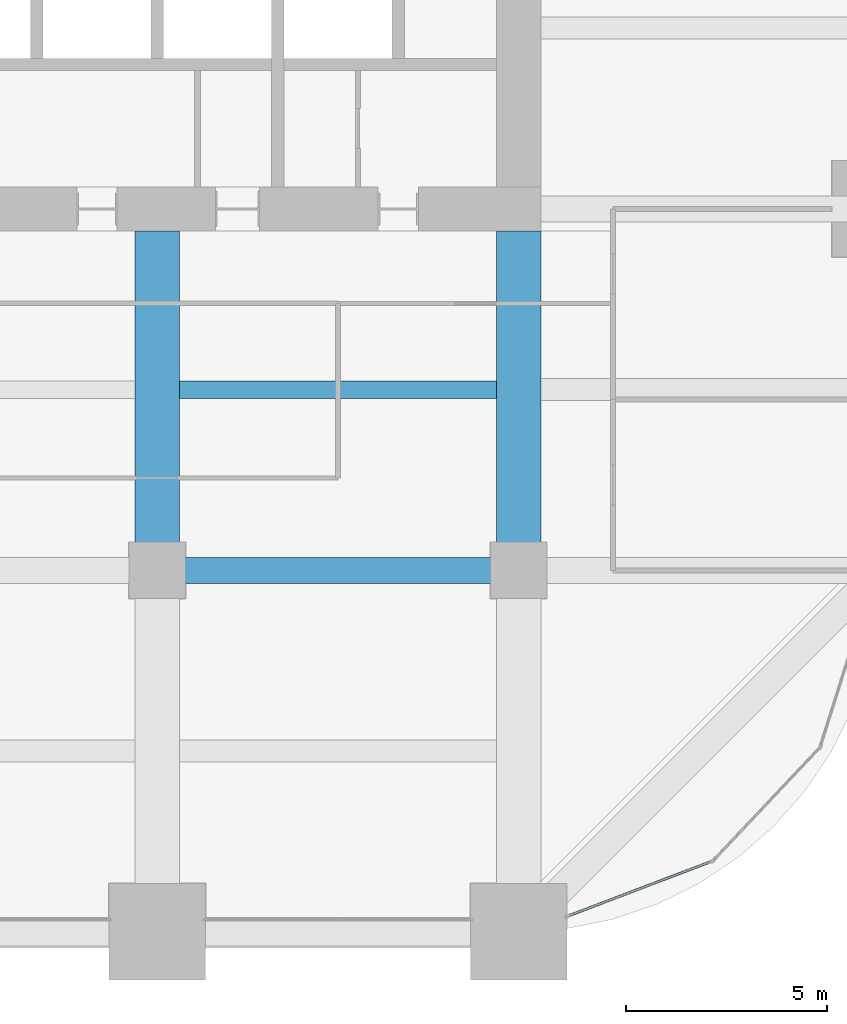
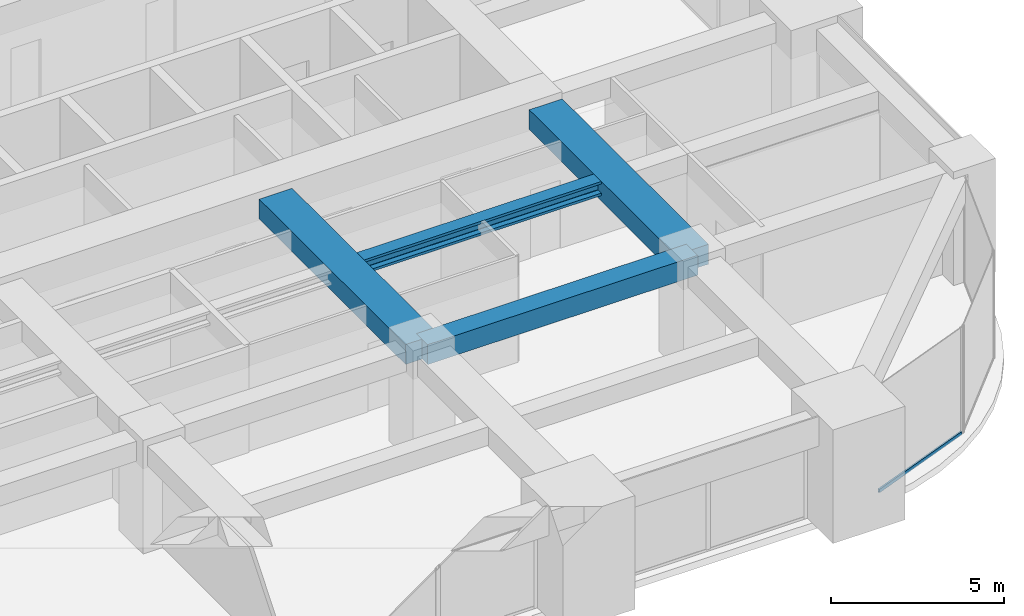
# One storey, part 15 of 32: 4 beams, 1 member, 1 element without a shape of its own.
"""IFC4 building model written with IfcOpenShell, lengths in metres."""

from ifc_helpers import new_model, si_unit, direction, frame, origin, origin_2d, place, context, subcontext, project, spatial, rectangle, hollow_rectangle, i_section, extrude, material, material_profile, profile_set, type_object, element, aggregate, save


model = new_model("IFC4")

# Units and contexts
model_context = context("Model", 3, precision=1e-05, world=origin(), true_north=direction((0.0, 1.0)))
body_context = subcontext(model_context, "Body", "Model", "MODEL_VIEW")
ifc_project = project(units=[si_unit("LENGTHUNIT", "METRE"), si_unit("AREAUNIT", "SQUARE_METRE"), si_unit("VOLUMEUNIT", "CUBIC_METRE"), si_unit("PLANEANGLEUNIT", "RADIAN"), si_unit("MASSUNIT", "GRAM", prefix="KILO")], contexts=[model_context])

# Site, building, storey
site_placement = place(None, origin())
site = spatial("IfcSite", under=ifc_project, at=site_placement, CompositionType="ELEMENT")
building_placement = place(site_placement, origin())
building = spatial("IfcBuilding", under=site, at=building_placement, Name="Zorevar Civic Tower", CompositionType="ELEMENT")
storey_placement = place(building_placement, frame((0.0, 0.0, 198.199951171875)))
storey = spatial("IfcBuildingStorey", under=building, at=storey_placement, Name="L48", CompositionType="ELEMENT", Elevation=198.199951171875)

# Beams
ifc_material_1 = material(Name="Concrete C50/60", Category="concrete")
ifc_material_profile_1 = material_profile(ifc_material_1, rectangle(XDim=1.10009765625, YDim=0.699951171875, at=origin_2d()), Name="RC 1100x700")
ifc_profile_set_1 = profile_set([ifc_material_profile_1], Name="Concrete C50/60")
beam_type_1 = type_object("IfcBeamType", Name="Beam RC 1100x700", PredefinedType="BEAM", material=ifc_profile_set_1)
for number, where, z_axis, x_axis, name in (
    (1, (36.0, 9.0, 3.400146484375), (0.0, 1.0, 0.0), (-1.0, 0.0, 0.0), "Girder L49"),
    (2, (45.0, 9.0, 3.400146484375), (0.0, 1.0, 0.0), (-1.0, 0.0, 0.0), "Girder L49"),
):
    element("IfcBeam", number, at=place(storey_placement, frame(where, z_axis=z_axis, x_axis=x_axis)), inside=storey, type_object=beam_type_1, Name=name, PredefinedType="BEAM", context=body_context, shape_type="SweptSolid", body=[
        extrude(rectangle(XDim=1.10009765625, YDim=0.699951171875, at=origin_2d()), origin(), (0.0, 0.0, 1.0), 8.449951171875),
    ])
ifc_material_2 = material(Name="Concrete C50/60", Category="concrete")
ifc_material_profile_2 = material_profile(ifc_material_2, rectangle(XDim=0.64990234375, YDim=0.699951171875, at=origin_2d()), Name="RC 650x700")
ifc_profile_set_2 = profile_set([ifc_material_profile_2], Name="Concrete C50/60")
beam_type_2 = type_object("IfcBeamType", Name="Beam RC 650x700", PredefinedType="BEAM", material=ifc_profile_set_2)
beam_1_placement = place(storey_placement, frame((36.0, 9.0, 3.400146484375), z_axis=(1.0, 0.0, 0.0), x_axis=(0.0, 1.0, 0.0)))
element("IfcBeam", 3, at=beam_1_placement, inside=storey, type_object=beam_type_2, Name="Girder L49", PredefinedType="BEAM", context=body_context, shape_type="SweptSolid", body=[
    extrude(rectangle(XDim=0.64990234375, YDim=0.699951171875, at=origin_2d()), origin(), (0.0, 0.0, 1.0), 9.0),
])

# Curtain wall, member
ifc_material_3 = material(Name="Dark grey solar-control glass in black aluminium frame", Category="aluminium")
curtain_wall_type = type_object("IfcCurtainWallType", Name="Curtain wall CW4 high zone", PredefinedType="NOTDEFINED", material=ifc_material_3)
curtain_wall_placement = place(storey_placement, origin())
curtain_wall = element("IfcCurtainWall", 4, at=curtain_wall_placement, inside=storey, type_object=curtain_wall_type, Name="CW4 L48", PredefinedType="NOTDEFINED")
ifc_material_4 = material(Name="Aluminium, black anodised", Category="aluminium")
ifc_material_profile_3 = material_profile(ifc_material_4, hollow_rectangle(XDim=0.06005859375, YDim=0.1201171875, WallThickness=0.0029296875, at=origin_2d()), Name="AL 120x60x3")
ifc_profile_set_3 = profile_set([ifc_material_profile_3], Name="Aluminium, black anodised")
member_type = type_object("IfcMemberType", Name="CW4 transom AL 120x60x3", PredefinedType="USERDEFINED", material=ifc_profile_set_3)
member_placement = place(storey_placement, frame((46.256103515625, 0.404541015625, 0.030029296875), z_axis=(0.934589335576, 0.355728511406, 0.0), x_axis=(-0.355728511406, 0.934589335576, 0.0)))
member = element("IfcMember", 5, at=member_placement, type_object=member_type, Name="CW4 sill transom", ObjectType="TRANSOM", PredefinedType="USERDEFINED", context=body_context, shape_type="SweptSolid", body=[
    extrude(hollow_rectangle(XDim=0.06005859375, YDim=0.1201171875, WallThickness=0.0029296875, at=origin_2d()), origin(), (0.0, 0.0, 1.0), 3.76708984375),
])
aggregate(curtain_wall, [member])

# Beam
ifc_material_5 = material(Name="Steel S460M (HISTAR 460)", Category="steel")
ifc_material_profile_4 = material_profile(ifc_material_5, i_section(OverallWidth=0.431884765625, OverallDepth=0.498046875, WebThickness=0.0556640625, FlangeThickness=0.0888671875, FilletRadius=0.014892578125, at=origin_2d()), Name="HD 400x744")
ifc_profile_set_4 = profile_set([ifc_material_profile_4], Name="Steel S460M (HISTAR 460)")
beam_type_3 = type_object("IfcBeamType", Name="Core bay beam HD 400x744", PredefinedType="BEAM", material=ifc_profile_set_4)
beam_2_placement = place(storey_placement, frame((36.550048828125, 13.5, 3.5009765625), z_axis=(1.0, 0.0, 0.0), x_axis=(0.0, 1.0, 0.0)))
element("IfcBeam", 6, at=beam_2_placement, inside=storey, type_object=beam_type_3, Name="Secondary beam L49", PredefinedType="BEAM", context=body_context, shape_type="SweptSolid", body=[
    extrude(i_section(OverallWidth=0.431884765625, OverallDepth=0.498046875, WebThickness=0.0556640625, FlangeThickness=0.0888671875, FilletRadius=0.014892578125, at=origin_2d()), origin(), (0.0, 0.0, 1.0), 7.89990234375),
])

save(model, "model.ifc")
